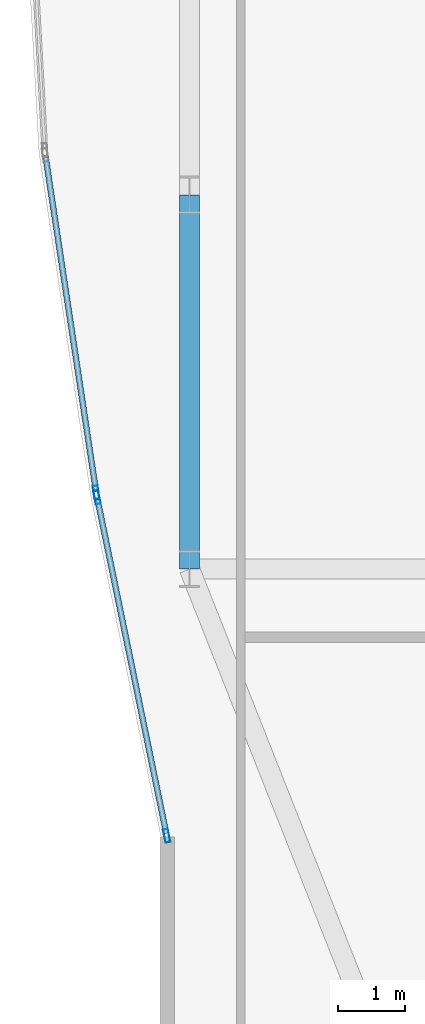
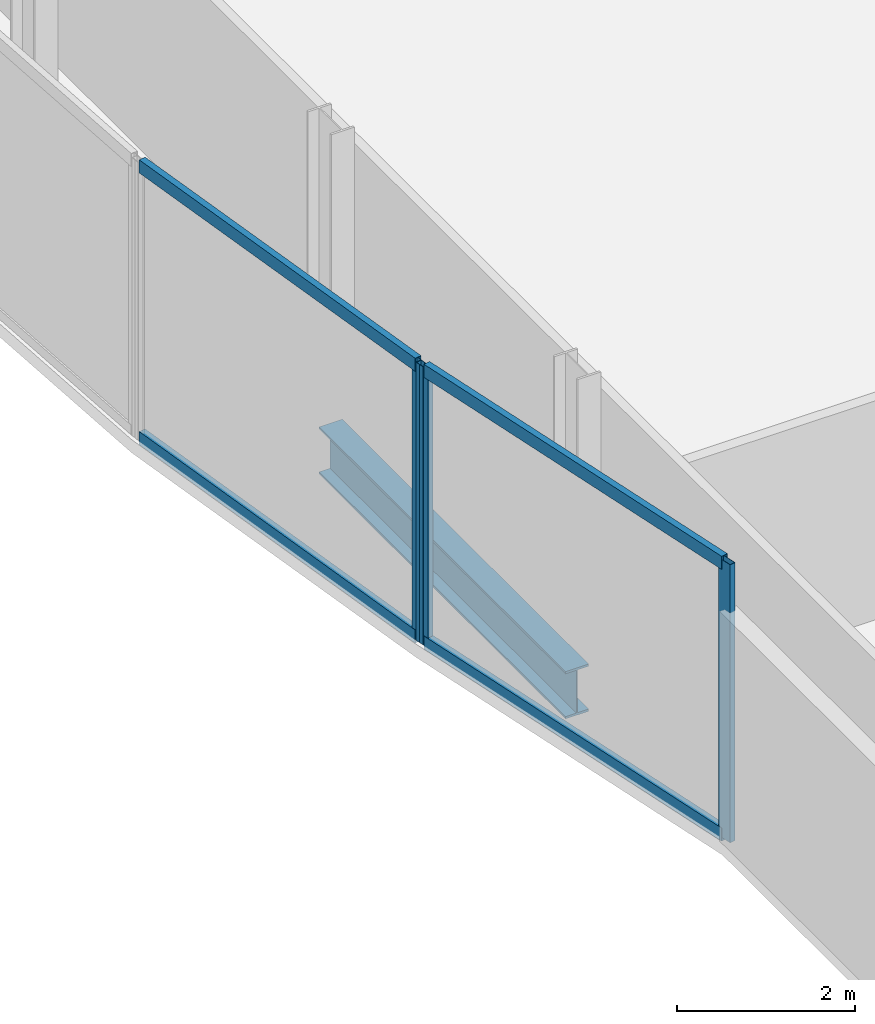
# One storey, part 6 of 36: 7 members, 1 beam, 2 elements without a shape of their own.
"""IFC4 building model written with IfcOpenShell, lengths in metres."""

from ifc_helpers import new_model, si_unit, direction, frame, origin, origin_2d, place, context, subcontext, project, spatial, hollow_rectangle, i_section, extrude, material, material_profile, profile_set, type_object, element, aggregate, save


model = new_model("IFC4")

# Units and contexts
model_context = context("Model", 3, precision=1e-05, world=origin(), true_north=direction((0.0, 1.0)))
body_context = subcontext(model_context, "Body", "Model", "MODEL_VIEW")
ifc_project = project(units=[si_unit("LENGTHUNIT", "METRE"), si_unit("AREAUNIT", "SQUARE_METRE"), si_unit("VOLUMEUNIT", "CUBIC_METRE"), si_unit("PLANEANGLEUNIT", "RADIAN"), si_unit("MASSUNIT", "GRAM", prefix="KILO")], contexts=[model_context])

# Site, building, storey
site_placement = place(None, origin())
site = spatial("IfcSite", under=ifc_project, at=site_placement, CompositionType="ELEMENT")
building_placement = place(site_placement, origin())
building = spatial("IfcBuilding", under=site, at=building_placement, Name="Khoronbel Lancet Exchange", CompositionType="ELEMENT")
storey_placement = place(building_placement, frame((0.0, 0.0, 57.800048828125)))
storey = spatial("IfcBuildingStorey", under=building, at=storey_placement, Name="L13", CompositionType="ELEMENT", Elevation=57.800048828125)

# Beam
ifc_material_1 = material(Name="Steel S355", Category="steel")
ifc_material_profile_1 = material_profile(ifc_material_1, i_section(OverallWidth=0.300048828125, OverallDepth=0.64990234375, WebThickness=0.01611328125, FlangeThickness=0.031005859375, at=origin_2d()), Name="HEB 650")
ifc_profile_set_1 = profile_set([ifc_material_profile_1], Name="Steel S355")
beam_type = type_object("IfcBeamType", Name="BM-BSP1", PredefinedType="SPANDREL", material=ifc_profile_set_1)
beam_placement = place(storey_placement, frame((1.27001953125, 24.75, -0.505126953125), z_axis=(0.0, -1.0, 0.0), x_axis=(1.0, 0.0, 0.0)))
element("IfcBeam", 1, at=beam_placement, inside=storey, type_object=beam_type, Name="Level L13 perimeter spandrel beam SP20", PredefinedType="SPANDREL", context=body_context, shape_type="SweptSolid", body=[
    extrude(i_section(OverallWidth=0.300048828125, OverallDepth=0.64990234375, WebThickness=0.01611328125, FlangeThickness=0.031005859375, at=origin_2d()), origin(), (0.0, 0.0, 1.0), 5.550048828125),
])

# Curtain wall, members
ifc_material_2 = material(Name="Low-E Solar Control Insulating Glass", Category="glass")
curtain_wall_type = type_object("IfcCurtainWallType", Name="CW-4", PredefinedType="NOTDEFINED", material=ifc_material_2)
curtain_wall_1_placement = place(storey_placement, origin())
curtain_wall_1 = element("IfcCurtainWall", 2, at=curtain_wall_1_placement, inside=storey, type_object=curtain_wall_type, Name="Unitised curtain wall CW-L13-E04", PredefinedType="NOTDEFINED")
ifc_material_3 = material(Name="Bronze-Anodised Aluminium 6063-T6", Category="aluminium")
ifc_material_profile_2 = material_profile(ifc_material_3, hollow_rectangle(XDim=0.074951171875, YDim=0.199951171875, WallThickness=0.0048828125, at=origin_2d()), Name="ALU MULLION 75x200")
ifc_profile_set_2 = profile_set([ifc_material_profile_2], Name="Bronze-Anodised Aluminium 6063-T6")
member_type_1 = type_object("IfcMemberType", Name="MEM-CWM2", PredefinedType="MULLION", material=ifc_profile_set_2)
member_1_placement = place(storey_placement, frame((0.932373046875, 15.245849609375, 0.0), z_axis=(0.0, 0.0, 1.0), x_axis=(-0.979446422351, -0.201704501049, 0.0)))
member_1 = element("IfcMember", 3, at=member_1_placement, type_object=member_type_1, Name="CW4 mullion 1", PredefinedType="MULLION", context=body_context, shape_type="SweptSolid", body=[
    extrude(hollow_rectangle(XDim=0.074951171875, YDim=0.199951171875, WallThickness=0.0048828125, at=origin_2d()), origin(), (0.0, 0.0, 1.0), 3.820068359375),
])
member_2_placement = place(storey_placement, frame((-0.1005859375, 20.262451171875, 0.0), z_axis=(0.0, 0.0, 1.0), x_axis=(-0.979446422351, -0.201704501049, 0.0)))
member_2 = element("IfcMember", 4, at=member_2_placement, type_object=member_type_1, Name="CW4 mullion 2", PredefinedType="MULLION", context=body_context, shape_type="SweptSolid", body=[
    extrude(hollow_rectangle(XDim=0.074951171875, YDim=0.199951171875, WallThickness=0.0048828125, at=origin_2d()), origin(), (0.0, 0.0, 1.0), 3.820068359375),
])

# Curtain wall, member
curtain_wall_2_placement = place(storey_placement, origin())
curtain_wall_2 = element("IfcCurtainWall", 5, at=curtain_wall_2_placement, inside=storey, type_object=curtain_wall_type, Name="Unitised curtain wall CW-L13-E05", PredefinedType="NOTDEFINED")
member_3_placement = place(storey_placement, frame((-0.11376953125, 20.336181640625, 0.0), z_axis=(0.0, 0.0, 1.0), x_axis=(-0.988825213041, -0.149079502463, 0.0)))
member_3 = element("IfcMember", 6, at=member_3_placement, type_object=member_type_1, Name="CW4 mullion 1", PredefinedType="MULLION", context=body_context, shape_type="SweptSolid", body=[
    extrude(hollow_rectangle(XDim=0.074951171875, YDim=0.199951171875, WallThickness=0.0048828125, at=origin_2d()), origin(), (0.0, 0.0, 1.0), 3.820068359375),
])

# Member
ifc_material_profile_3 = material_profile(ifc_material_3, hollow_rectangle(XDim=0.0849609375, YDim=0.179931640625, WallThickness=0.0048828125, at=origin_2d()), Name="ALU TRANSOM 85x180")
ifc_profile_set_3 = profile_set([ifc_material_profile_3], Name="Bronze-Anodised Aluminium 6063-T6")
member_type_2 = type_object("IfcMemberType", Name="MEM-CWT1", PredefinedType="USERDEFINED", material=ifc_profile_set_3)
member_4_placement = place(storey_placement, frame((0.9248046875, 15.28271484375, 0.04248046875), z_axis=(-0.201685680738, 0.979450297966, 0.0), x_axis=(-0.979450297966, -0.201685680738, 0.0)))
member_4 = element("IfcMember", 7, at=member_4_placement, type_object=member_type_2, Name="CW4 transom 1.1", ObjectType="TRANSOM", PredefinedType="USERDEFINED", context=body_context, shape_type="SweptSolid", body=[
    extrude(hollow_rectangle(XDim=0.0849609375, YDim=0.179931640625, WallThickness=0.0048828125, at=origin_2d()), origin(), (0.0, 0.0, 1.0), 5.046630859375),
])

member_5_placement = place(storey_placement, frame((0.9248046875, 15.28271484375, 3.77734375), z_axis=(-0.201685680738, 0.979450297966, 0.0), x_axis=(-0.979450297966, -0.201685680738, 0.0)))
member_5 = element("IfcMember", 8, at=member_5_placement, type_object=member_type_2, Name="CW4 transom 1.2", ObjectType="TRANSOM", PredefinedType="USERDEFINED", context=body_context, shape_type="SweptSolid", body=[
    extrude(hollow_rectangle(XDim=0.0849609375, YDim=0.179931640625, WallThickness=0.0048828125, at=origin_2d()), origin(), (0.0, 0.0, 1.0), 5.046630859375),
])

aggregate(curtain_wall_1, [member_1, member_2, member_4, member_5])

member_6_placement = place(storey_placement, frame((-0.119384765625, 20.373291015625, 0.04248046875), z_axis=(-0.149056602197, 0.988828665311, 0.0), x_axis=(-0.988828665311, -0.149056602197, 0.0)))
member_6 = element("IfcMember", 9, at=member_6_placement, type_object=member_type_2, Name="CW4 transom 1.1", ObjectType="TRANSOM", PredefinedType="USERDEFINED", context=body_context, shape_type="SweptSolid", body=[
    extrude(hollow_rectangle(XDim=0.0849609375, YDim=0.179931640625, WallThickness=0.0048828125, at=origin_2d()), origin(), (0.0, 0.0, 1.0), 4.984130859375),
])

member_7_placement = place(storey_placement, frame((-0.119384765625, 20.373291015625, 3.77734375), z_axis=(-0.149056602197, 0.988828665311, 0.0), x_axis=(-0.988828665311, -0.149056602197, 0.0)))
member_7 = element("IfcMember", 10, at=member_7_placement, type_object=member_type_2, Name="CW4 transom 1.2", ObjectType="TRANSOM", PredefinedType="USERDEFINED", context=body_context, shape_type="SweptSolid", body=[
    extrude(hollow_rectangle(XDim=0.0849609375, YDim=0.179931640625, WallThickness=0.0048828125, at=origin_2d()), origin(), (0.0, 0.0, 1.0), 4.984130859375),
])

aggregate(curtain_wall_2, [member_3, member_6, member_7])

save(model, "model.ifc")
